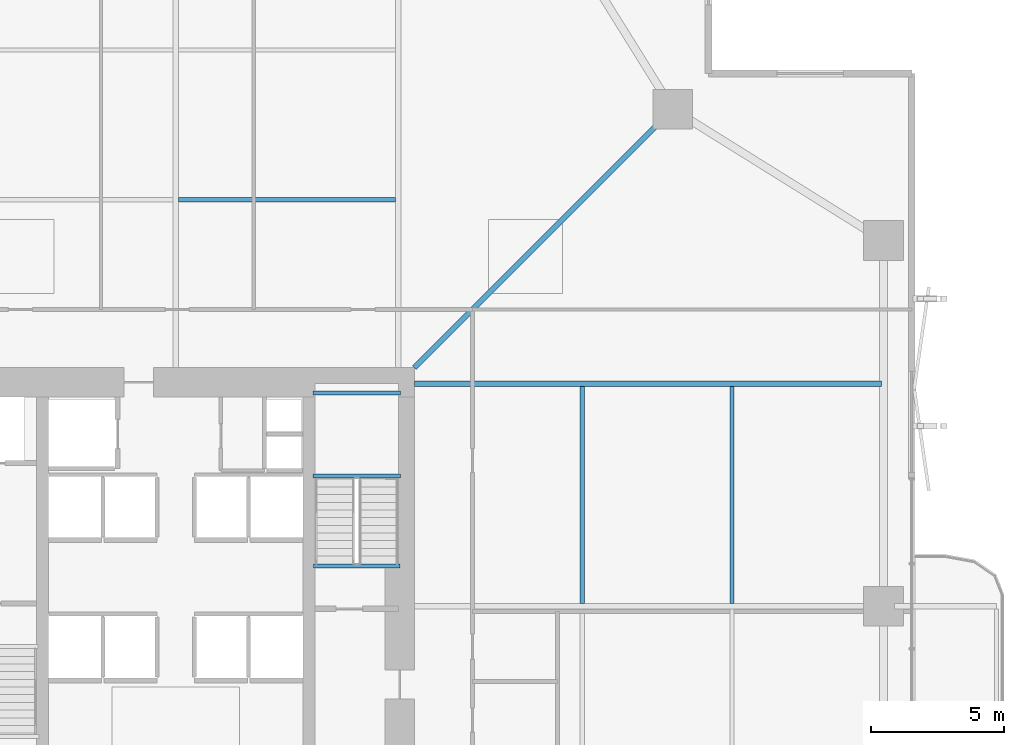
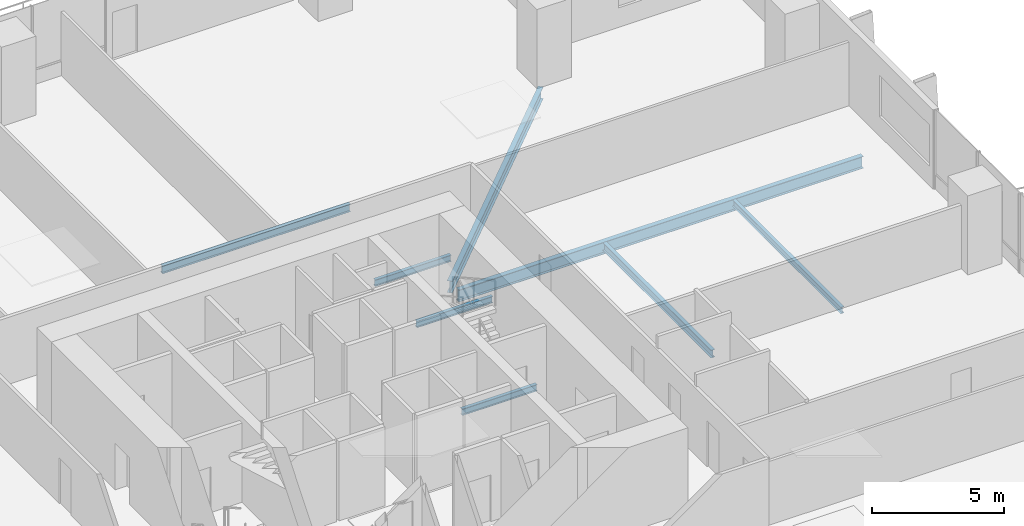
# One storey, part 12 of 23: 8 beams.
"""IFC4 building model written with IfcOpenShell, lengths in metres."""

from ifc_helpers import new_model, si_unit, direction, frame, origin, origin_2d, place, context, subcontext, project, spatial, i_section, extrude, material, material_profile, profile_set, type_object, element, save


model = new_model("IFC4")

# Units and contexts
model_context = context("Model", 3, precision=1e-05, world=origin(), true_north=direction((0.0, 1.0)))
body_context = subcontext(model_context, "Body", "Model", "MODEL_VIEW")
ifc_project = project(units=[si_unit("LENGTHUNIT", "METRE"), si_unit("AREAUNIT", "SQUARE_METRE"), si_unit("VOLUMEUNIT", "CUBIC_METRE"), si_unit("PLANEANGLEUNIT", "RADIAN"), si_unit("MASSUNIT", "GRAM", prefix="KILO")], contexts=[model_context])

# Site, building, storey
site_placement = place(None, origin())
site = spatial("IfcSite", under=ifc_project, at=site_placement, CompositionType="ELEMENT")
building_placement = place(site_placement, origin())
building = spatial("IfcBuilding", under=site, at=building_placement, Name="Belovzor Exchange Tower", CompositionType="ELEMENT")
storey_placement = place(building_placement, frame((0.0, 0.0, 88.5)))
storey = spatial("IfcBuildingStorey", under=building, at=storey_placement, Name="L21", CompositionType="ELEMENT", Elevation=88.5)

# Beams
ifc_material_1 = material(Name="Steel S355", Category="steel")
ifc_material_profile_1 = material_profile(ifc_material_1, i_section(OverallWidth=0.169921875, OverallDepth=0.360107421875, WebThickness=0.008056640625, FlangeThickness=0.0126953125, at=origin_2d()))
ifc_profile_set_1 = profile_set([ifc_material_profile_1], Name="Steel S355")
beam_type_1 = type_object("IfcBeamType", Name="Secondary Infill Floor Joist IPE 360", PredefinedType="BEAM", material=ifc_profile_set_1)
for number, where, z_axis, x_axis, name in (
    (1, (28.905029296875, 44.14501953125, -0.429931640625), (1.0, 0.0, 0.0), (0.0, 1.0, 0.0), "FJ-360 Secondary Infill Floor Joist IPE 360"),
    (2, (44.14501953125, 28.905029296875, -0.429931640625), (0.0, 1.0, 0.0), (-1.0, 0.0, 0.0), "FJ-360 Secondary Infill Floor Joist IPE 360"),
):
    element("IfcBeam", number, at=place(storey_placement, frame(where, z_axis=z_axis, x_axis=x_axis)), inside=storey, type_object=beam_type_1, Name=name, PredefinedType="BEAM", context=body_context, shape_type="SweptSolid", body=[
        extrude(i_section(OverallWidth=0.169921875, OverallDepth=0.360107421875, WebThickness=0.008056640625, FlangeThickness=0.0126953125, at=origin_2d()), origin(), (0.0, 0.0, 1.0), 8.18994140625),
    ])
ifc_material_2 = material(Name="Steel S355", Category="steel")
ifc_material_profile_2 = material_profile(ifc_material_2, i_section(OverallWidth=0.14990234375, OverallDepth=0.300048828125, WebThickness=0.007080078125, FlangeThickness=0.0107421875, at=origin_2d()))
ifc_profile_set_2 = profile_set([ifc_material_profile_2], Name="Steel S355")
beam_type_2 = type_object("IfcBeamType", Name="Secondary Trim Floor Joist IPE 300", PredefinedType="BEAM", material=ifc_profile_set_2)
for number, where, z_axis, x_axis, name in (
    (3, (37.280029296875, 33.7099609375, 1.60009765625), (-1.0, 0.0, 0.0), (0.0, -1.0, 0.0), "FJ-300 Secondary Trim Floor Joist IPE 300"),
    (4, (37.280029296875, 36.85009765625, 1.60009765625), (-1.0, 0.0, 0.0), (0.0, -1.0, 0.0), "FJ-300 Secondary Trim Floor Joist IPE 300"),
):
    element("IfcBeam", number, at=place(storey_placement, frame(where, z_axis=z_axis, x_axis=x_axis)), inside=storey, type_object=beam_type_2, Name=name, PredefinedType="BEAM", context=body_context, shape_type="SweptSolid", body=[
        extrude(i_section(OverallWidth=0.14990234375, OverallDepth=0.300048828125, WebThickness=0.007080078125, FlangeThickness=0.0107421875, at=origin_2d()), origin(), (0.0, 0.0, 1.0), 3.31005859375),
    ])
beam_1_placement = place(storey_placement, frame((37.260009765625, 30.320068359375, -0.39990234375), z_axis=(-1.0, 0.0, 0.0), x_axis=(0.0, -1.0, 0.0)))
element("IfcBeam", 5, at=beam_1_placement, inside=storey, type_object=beam_type_2, Name="FJ-300 Secondary Trim Floor Joist IPE 300", PredefinedType="BEAM", context=body_context, shape_type="SweptSolid", body=[
    extrude(i_section(OverallWidth=0.14990234375, OverallDepth=0.300048828125, WebThickness=0.007080078125, FlangeThickness=0.0107421875, at=origin_2d()), origin(), (0.0, 0.0, 1.0), 3.27001953125),
])
beam_2_placement = place(storey_placement, frame((49.784912109375, 28.905029296875, -0.39990234375), z_axis=(0.0, 1.0, 0.0), x_axis=(-1.0, 0.0, 0.0)))
element("IfcBeam", 6, at=beam_2_placement, inside=storey, type_object=beam_type_2, Name="FJ-300 Secondary Trim Floor Joist IPE 300", PredefinedType="BEAM", context=body_context, shape_type="SweptSolid", body=[
    extrude(i_section(OverallWidth=0.14990234375, OverallDepth=0.300048828125, WebThickness=0.007080078125, FlangeThickness=0.0107421875, at=origin_2d()), origin(), (0.0, 0.0, 1.0), 8.18994140625),
])
ifc_material_3 = material(Name="Steel S355", Category="steel")
ifc_material_profile_3 = material_profile(ifc_material_3, i_section(OverallWidth=0.2099609375, OverallDepth=0.550048828125, WebThickness=0.010986328125, FlangeThickness=0.01708984375, at=origin_2d()))
ifc_profile_set_3 = profile_set([ifc_material_profile_3], Name="Steel S355")
beam_type_3 = type_object("IfcBeamType", Name="Zone 1 Radial Composite Floor Beam IPE 550", PredefinedType="BEAM", material=ifc_profile_set_3)
beam_3_placement = place(storey_placement, frame((37.800048828125, 37.199951171875, -0.52490234375), z_axis=(1.0, 0.0, 0.0), x_axis=(0.0, 1.0, 0.0)))
element("IfcBeam", 7, at=beam_3_placement, inside=storey, type_object=beam_type_3, Name="FB-550 Zone 1 Radial Composite Floor Beam IPE 550", PredefinedType="BEAM", context=body_context, shape_type="SweptSolid", body=[
    extrude(i_section(OverallWidth=0.2099609375, OverallDepth=0.550048828125, WebThickness=0.010986328125, FlangeThickness=0.01708984375, at=origin_2d()), origin(), (0.0, 0.0, 1.0), 17.625),
])
beam_4_placement = place(storey_placement, frame((37.800048828125, 37.800048828125, -0.52490234375), z_axis=(0.707106781187, 0.707106781187, 0.0), x_axis=(-0.707106781187, 0.707106781187, 0.0)))
element("IfcBeam", 8, at=beam_4_placement, inside=storey, type_object=beam_type_3, Name="FB-550 Zone 1 Radial Composite Floor Beam IPE 550", PredefinedType="BEAM", context=body_context, shape_type="SweptSolid", body=[
    extrude(i_section(OverallWidth=0.2099609375, OverallDepth=0.550048828125, WebThickness=0.010986328125, FlangeThickness=0.01708984375, at=origin_2d()), origin(), (0.0, 0.0, 1.0), 13.25830078125),
])

save(model, "model.ifc")
